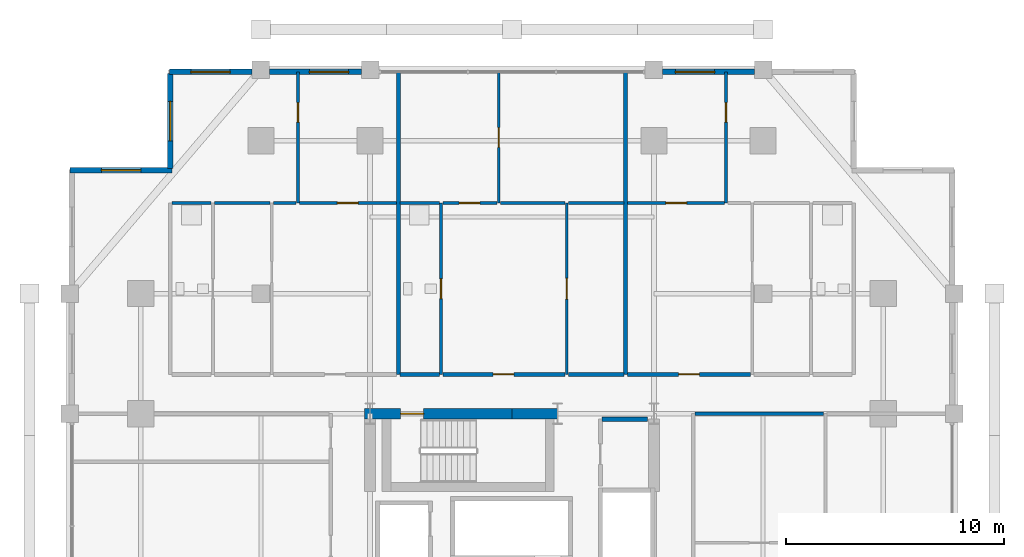
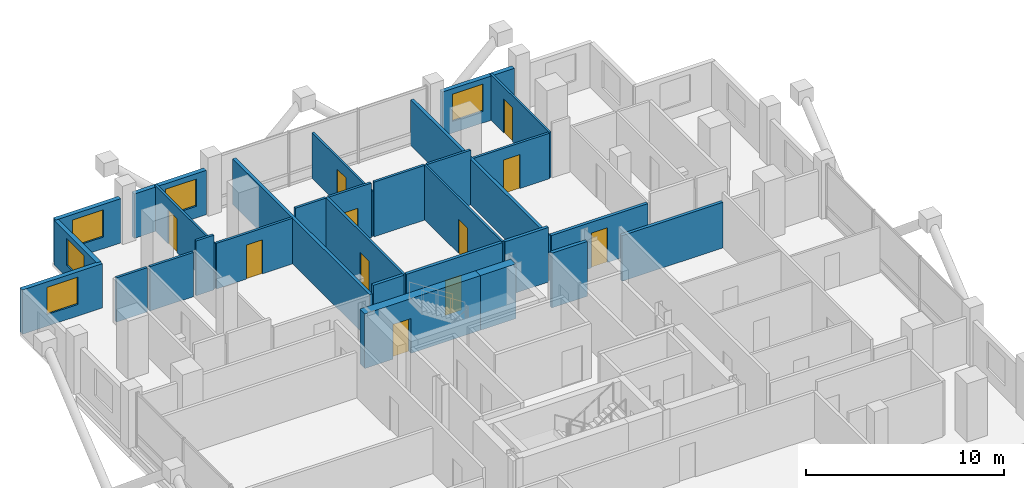
# One storey, part 19 of 22: 29 walls, 11 doors, 5 windows, 16 openings.
"""IFC4 building model written with IfcOpenShell, lengths in metres."""

import ifcopenshell
import ifcopenshell.guid

model = None  # the IFC model being written
_history = None  # IfcOwnerHistory: only IFC2X3 demands one
_inside = {}  # id of a spatial element -> (the spatial element, [elements in it])
_under = {}  # id of a project, library or spatial element -> (it, [spatial elements below it])
_declared = {}  # id of a project -> (the project, [libraries it declares])
_typed = {}  # id of a type object -> (the type object, [elements of that type])
_made_of = {}  # id of a material, layer set ... -> (it, [elements and type objects made of it])


def new_model(schema):
    """Start an empty IFC model of exactly this schema.

    Asked for "IFC4X3", IfcOpenShell would pick the latest addendum, in which some entities
    have other attributes; the version numbers below select the first issue.
    IFC2X3 requires an IfcOwnerHistory on every rooted entity: one is made here for all.
    """
    global model, _history
    if schema == "IFC4X3":
        model = ifcopenshell.file(schema_version=(4, 3, 0, 0))
    else:
        model = ifcopenshell.file(schema=schema)
    _inside.clear()
    _under.clear()
    _declared.clear()
    _typed.clear()
    _made_of.clear()
    _history = None
    if model.schema == "IFC2X3":
        org = make("IfcOrganization", Name="unknown")
        user = make(
            "IfcPersonAndOrganization",
            ThePerson=make("IfcPerson", FamilyName="unknown"),
            TheOrganization=org,
        )
        app = make(
            "IfcApplication",
            ApplicationDeveloper=org,
            Version="unknown",
            ApplicationFullName="unknown",
            ApplicationIdentifier="unknown",
        )
        _history = make(
            "IfcOwnerHistory",
            OwningUser=user,
            OwningApplication=app,
            ChangeAction="ADDED",
            CreationDate=0,
        )
    return model


def make(cls, **values):
    """One entity of the class cls with the attributes given. An attribute that is None is left unset."""
    return model.create_entity(
        cls, **{name: value for name, value in values.items() if value is not None}
    )


def rooted(cls, **values):
    """An entity with a GlobalId (a new one), such as an element, a storey or a relation."""
    return make(cls, GlobalId=ifcopenshell.guid.new(), OwnerHistory=_history, **values)


def si_unit(unit_type, name, prefix=None):
    """IfcSIUnit, for example si_unit("LENGTHUNIT", "METRE", prefix="MILLI")."""
    return make("IfcSIUnit", UnitType=unit_type, Prefix=prefix, Name=name)


def assignment(units):
    """IfcUnitAssignment: the units of a project."""
    return None if units is None else make("IfcUnitAssignment", Units=units)


def point(xyz):
    """IfcCartesianPoint."""
    return None if xyz is None else make("IfcCartesianPoint", Coordinates=xyz)


def direction(xyz):
    """IfcDirection."""
    return None if xyz is None else make("IfcDirection", DirectionRatios=xyz)


def frame(location, z_axis=None, x_axis=None):
    """IfcAxis2Placement3D, a coordinate frame: its origin and axes. An axis left out is left unset."""
    return make(
        "IfcAxis2Placement3D",
        Location=point(location),
        Axis=direction(z_axis),
        RefDirection=direction(x_axis),
    )


def frame_2d(location, x_axis=None):
    """IfcAxis2Placement2D, a coordinate frame in the plane: its origin and x axis."""
    return make(
        "IfcAxis2Placement2D", Location=point(location), RefDirection=direction(x_axis)
    )


def origin():
    """The frame at (0, 0, 0) with its axes left unset."""
    return frame((0.0, 0.0, 0.0))


def place(relative_to, where):
    """IfcLocalPlacement: puts the frame where relative to a parent placement (None: the world)."""
    return make(
        "IfcLocalPlacement", PlacementRelTo=relative_to, RelativePlacement=where
    )


def context(
    kind, dimensions, precision=None, world=None, true_north=None, identifier=None
):
    """IfcGeometricRepresentationContext, for example the 3D "Model" context."""
    return make(
        "IfcGeometricRepresentationContext",
        ContextIdentifier=identifier,
        ContextType=kind,
        CoordinateSpaceDimension=dimensions,
        Precision=precision,
        WorldCoordinateSystem=world,
        TrueNorth=true_north,
    )


def subcontext(parent, identifier, kind, view, scale=None):
    """IfcGeometricRepresentationSubContext, for example "Body" below "Model"."""
    return make(
        "IfcGeometricRepresentationSubContext",
        ContextIdentifier=identifier,
        ContextType=kind,
        ParentContext=parent,
        TargetScale=scale,
        TargetView=view,
    )


def project(units=None, contexts=None):
    """IfcProject with its units and contexts."""
    return rooted(
        "IfcProject",
        Name="project",
        RepresentationContexts=contexts,
        UnitsInContext=assignment(units),
    )


def spatial(cls, under=None, at=None, **own):
    """A site, building, storey or space (cls), placed at a placement, below another one or the project."""
    s = rooted(cls, ObjectPlacement=at, **own)
    if under is not None:
        _under.setdefault(under.id(), (under, []))[1].append(s)
    return s


def profile(cls, at=None, kind="AREA", **sizes):
    """A parametric profile (cls). Its sizes go by their IFC names, for example OverallWidth=200.0."""
    return make(cls, ProfileType=kind, Position=at, **sizes)


def rectangle(**sizes):
    """IfcRectangleProfileDef."""
    return profile("IfcRectangleProfileDef", **sizes)


def extrude(swept, where, along, depth):
    """IfcExtrudedAreaSolid: the profile swept, set in the frame where, extruded along a direction by depth."""
    return make(
        "IfcExtrudedAreaSolid",
        SweptArea=swept,
        Position=where,
        ExtrudedDirection=direction(along),
        Depth=depth,
    )


def shape(context_of_items, identifier, shape_type, items):
    """IfcShapeRepresentation: the items that make up one representation, for example the "Body"."""
    return make(
        "IfcShapeRepresentation",
        ContextOfItems=context_of_items,
        RepresentationIdentifier=identifier,
        RepresentationType=shape_type,
        Items=items,
    )


def material(Name=None, Category=None):
    """IfcMaterial."""
    return make("IfcMaterial", Name=Name, Category=Category)


def layer(
    of_material, thickness, ventilated=None, Name=None, Category=None, Priority=None
):
    """IfcMaterialLayer: one layer of a wall or slab, of a material (None: an air gap)."""
    return make(
        "IfcMaterialLayer",
        Material=of_material,
        LayerThickness=thickness,
        IsVentilated=ventilated,
        Name=Name,
        Category=Category,
        Priority=Priority,
    )


def layer_set(layers, Name=None):
    """IfcMaterialLayerSet."""
    return make("IfcMaterialLayerSet", MaterialLayers=layers, LayerSetName=Name)


def made_of(thing, what):
    """Note that an element or type object is made of a material, layer set ...; save() writes the relation."""
    if what is not None:
        _made_of.setdefault(what.id(), (what, []))[1].append(thing)
    return thing


def type_object(cls, material=None, **own):
    """A type object (cls), such as IfcWallType, which elements share."""
    return made_of(rooted(cls, **own), material)


def element(
    cls,
    number,
    at=None,
    inside=None,
    cuts=None,
    type_object=None,
    material=None,
    context=None,
    identifier="Body",
    shape_type=None,
    held_by="IfcProductDefinitionShape",
    body=None,
    shapes=None,
    **own,
):
    """One element of the class cls, such as IfcWall. Its Tag is "e" and its number.

    at: its placement. inside: the storey or other place that contains it. cuts: it is an
    opening in that element (IfcRelVoidsElement). A single representation is given by context,
    identifier, shape_type and body (its items); several are given by shapes. held_by: the class
    of the entity that holds the representations. save() writes the other relations.
    """
    e = rooted(cls, Tag="e%d" % number, ObjectPlacement=at, **own)
    if body is not None:
        shapes = [shape(context, identifier, shape_type, body)]
    if shapes is not None:
        e.Representation = make(held_by, Representations=shapes)
    if inside is not None:
        _inside.setdefault(inside.id(), (inside, []))[1].append(e)
    if cuts is not None:
        rooted(
            "IfcRelVoidsElement", RelatingBuildingElement=cuts, RelatedOpeningElement=e
        )
    if type_object is not None:
        _typed.setdefault(type_object.id(), (type_object, []))[1].append(e)
    return made_of(e, material)


def fill(opening, filler):
    """IfcRelFillsElement: the door or window that sits in an opening."""
    return rooted(
        "IfcRelFillsElement",
        RelatingOpeningElement=opening,
        RelatedBuildingElement=filler,
    )


def aggregate(whole, parts):
    """IfcRelAggregates: a whole, such as a stair, and the parts it consists of."""
    return rooted("IfcRelAggregates", RelatingObject=whole, RelatedObjects=parts)


def save(model, path):
    """Write the relations noted so far, then the file.

    IfcRelAggregates (storeys below a building ...), IfcRelContainedInSpatialStructure (elements
    in a storey), IfcRelDefinesByType, IfcRelAssociatesMaterial and IfcRelDeclares: one each for
    every whole, place, type object, material and project.
    """
    for whole, parts in _under.values():
        aggregate(whole, parts)
    for where, things in _inside.values():
        rooted(
            "IfcRelContainedInSpatialStructure",
            RelatedElements=things,
            RelatingStructure=where,
        )
    for kind, things in _typed.values():
        rooted("IfcRelDefinesByType", RelatedObjects=things, RelatingType=kind)
    for what, things in _made_of.values():
        rooted("IfcRelAssociatesMaterial", RelatedObjects=things, RelatingMaterial=what)
    for by, libraries in _declared.values():
        rooted("IfcRelDeclares", RelatingContext=by, RelatedDefinitions=libraries)
    model.write(path)


model = new_model("IFC4")

# Units and contexts
model_context = context("Model", 3, precision=1e-05, world=origin(), true_north=direction((0.0, 1.0)))
body_context = subcontext(model_context, "Body", "Model", "MODEL_VIEW")
ifc_project = project(units=[si_unit("LENGTHUNIT", "METRE"), si_unit("AREAUNIT", "SQUARE_METRE"), si_unit("VOLUMEUNIT", "CUBIC_METRE"), si_unit("PLANEANGLEUNIT", "RADIAN"), si_unit("MASSUNIT", "GRAM", prefix="KILO")], contexts=[model_context])

# Site, building, storey
site_placement = place(None, origin())
site = spatial("IfcSite", under=ifc_project, at=site_placement, CompositionType="ELEMENT")
building_placement = place(site_placement, origin())
building = spatial("IfcBuilding", under=site, at=building_placement, Name="Barlavira Tower and Art Museum", CompositionType="ELEMENT")
storey_placement = place(building_placement, frame((0.0, 0.0, 106.199951171875)))
storey = spatial("IfcBuildingStorey", under=building, at=storey_placement, Name="L26", CompositionType="ELEMENT", Elevation=106.199951171875)

# Wall, opening, door
ifc_material_1 = material(Name="Gypsum acoustic stud partition", Category="gypsum")
ifc_layer_1 = layer(ifc_material_1, 0.1201171875, Name="Gypsum acoustic stud partition")
ifc_layer_set_1 = layer_set([ifc_layer_1], Name="Gypsum acoustic stud partition")
wall_type_1 = type_object("IfcWallType", Name="Apartment Internal Acoustic Partition 120", PredefinedType="PARTITIONING", material=ifc_layer_set_1)
wall_1_placement = place(storey_placement, frame((-9.800048828125, 17.14990234375, 0.0), z_axis=(0.0, 0.0, 1.0), x_axis=(0.0, 1.0, 0.0)))
wall_1 = element("IfcWall", 1, at=wall_1_placement, inside=storey, type_object=wall_type_1, Name="L26 Partition Wall 4", PredefinedType="PARTITIONING", context=body_context, shape_type="SweptSolid", body=[
    extrude(rectangle(XDim=6.0, YDim=0.1201171875, at=frame_2d((3.0, 0.0))), origin(), (0.0, 0.0, 1.0), 2.816162109375),
])
opening_1_placement = place(wall_1_placement, frame((3.701171875, 0.0, 0.0)))
opening_1 = element("IfcOpeningElement", 2, at=opening_1_placement, cuts=wall_1, Name="Opening D-01", PredefinedType="OPENING", context=body_context, shape_type="SweptSolid", body=[
    extrude(rectangle(XDim=0.89990234375, YDim=2.10009765625, at=frame_2d((0.449951171875, 1.050048828125))), frame((0.0, 0.070068359375, 0.0), z_axis=(0.0, -1.0, 0.0), x_axis=(1.0, 0.0, 0.0)), (0.0, 0.0, 1.0), 0.14013671875),
])
ifc_material_2 = material(Name="Engineered coastal hardwood", Category="wood")
door_type_1 = type_object("IfcDoorType", Name="Internal Bedroom Timber Flush Door 900x2100", OperationType="NOTDEFINED", PredefinedType="DOOR", material=ifc_material_2)
door_1_placement = place(opening_1_placement, origin())
door_1 = element("IfcDoor", 3, at=door_1_placement, inside=storey, type_object=door_type_1, Name="Apartment N1 Bedroom 1 Door", OperationType="SINGLE_SWING_RIGHT", OverallHeight=2.10009765625, OverallWidth=0.89990234375, PredefinedType="DOOR", context=body_context, shape_type="SweptSolid", body=[
    extrude(rectangle(XDim=0.89990234375, YDim=2.10009765625, at=frame_2d((0.449951171875, 1.050048828125))), frame((0.0, 0.02490234375, 0.0), z_axis=(0.0, -1.0, 0.0), x_axis=(1.0, 0.0, 0.0)), (0.0, 0.0, 1.0), 0.050048828125),
])
fill(opening_1, door_1)

wall_2_placement = place(storey_placement, frame((-0.60009765625, 17.14990234375, 0.0), z_axis=(0.0, 0.0, 1.0), x_axis=(0.0, 1.0, 0.0)))
wall_2 = element("IfcWall", 4, at=wall_2_placement, inside=storey, type_object=wall_type_1, Name="L26 Partition Wall 9", PredefinedType="PARTITIONING", context=body_context, shape_type="SweptSolid", body=[
    extrude(rectangle(XDim=6.0, YDim=0.1201171875, at=frame_2d((3.0, 0.0))), origin(), (0.0, 0.0, 1.0), 2.816162109375),
])
opening_2_placement = place(wall_2_placement, frame((2.550048828125, 0.0, 0.0)))
opening_2 = element("IfcOpeningElement", 5, at=opening_2_placement, cuts=wall_2, Name="Opening D-01", PredefinedType="OPENING", context=body_context, shape_type="SweptSolid", body=[
    extrude(rectangle(XDim=0.89990234375, YDim=2.10009765625, at=frame_2d((0.449951171875, 1.050048828125))), frame((0.0, 0.070068359375, 0.0), z_axis=(0.0, -1.0, 0.0), x_axis=(1.0, 0.0, 0.0)), (0.0, 0.0, 1.0), 0.14013671875),
])
door_2_placement = place(opening_2_placement, origin())
door_2 = element("IfcDoor", 6, at=door_2_placement, inside=storey, type_object=door_type_1, Name="Apartment N2 Bedroom 1 Door", OperationType="SINGLE_SWING_LEFT", OverallHeight=2.10009765625, OverallWidth=0.89990234375, PredefinedType="DOOR", context=body_context, shape_type="SweptSolid", body=[
    extrude(rectangle(XDim=0.89990234375, YDim=2.10009765625, at=frame_2d((0.449951171875, 1.050048828125))), frame((0.0, 0.02490234375, 0.0), z_axis=(0.0, -1.0, 0.0), x_axis=(1.0, 0.0, 0.0)), (0.0, 0.0, 1.0), 0.050048828125),
])
fill(opening_2, door_2)

wall_3_placement = place(storey_placement, frame((2.5, 9.300048828125, 0.0), z_axis=(0.0, 0.0, 1.0), x_axis=(0.0, 1.0, 0.0)))
wall_3 = element("IfcWall", 7, at=wall_3_placement, inside=storey, type_object=wall_type_1, Name="L26 Partition Wall 10", PredefinedType="PARTITIONING", context=body_context, shape_type="SweptSolid", body=[
    extrude(rectangle(XDim=7.849853515625, YDim=0.1201171875, at=frame_2d((3.9248046875, 0.0))), origin(), (0.0, 0.0, 1.0), 3.380126953125),
])
opening_3_placement = place(wall_3_placement, frame((3.445068359375, 0.0, 0.0)))
opening_3 = element("IfcOpeningElement", 8, at=opening_3_placement, cuts=wall_3, Name="Opening D-02", PredefinedType="OPENING", context=body_context, shape_type="SweptSolid", body=[
    extrude(rectangle(XDim=0.949951171875, YDim=2.10009765625, at=frame_2d((0.47509765625, 1.050048828125))), frame((0.0, 0.070068359375, 0.0), z_axis=(0.0, -1.0, 0.0), x_axis=(1.0, 0.0, 0.0)), (0.0, 0.0, 1.0), 0.14013671875),
])
door_type_2 = type_object("IfcDoorType", Name="Living and Salon Glazed-Leaf Door 950x2100", OperationType="NOTDEFINED", PredefinedType="DOOR", material=ifc_material_2)
door_3_placement = place(opening_3_placement, origin())
door_3 = element("IfcDoor", 9, at=door_3_placement, inside=storey, type_object=door_type_2, Name="Apartment N2 Kitchen Door", OperationType="SINGLE_SWING_LEFT", OverallHeight=2.10009765625, OverallWidth=0.949951171875, PredefinedType="DOOR", context=body_context, shape_type="SweptSolid", body=[
    extrude(rectangle(XDim=0.949951171875, YDim=2.10009765625, at=frame_2d((0.47509765625, 1.050048828125))), frame((0.0, 0.02490234375, 0.0), z_axis=(0.0, -1.0, 0.0), x_axis=(1.0, 0.0, 0.0)), (0.0, 0.0, 1.0), 0.050048828125),
])
fill(opening_3, door_3)

wall_4_placement = place(storey_placement, frame((9.800048828125, 17.14990234375, 0.0), z_axis=(0.0, 0.0, 1.0), x_axis=(0.0, 1.0, 0.0)))
wall_4 = element("IfcWall", 10, at=wall_4_placement, inside=storey, type_object=wall_type_1, Name="L26 Partition Wall 14", PredefinedType="PARTITIONING", context=body_context, shape_type="SweptSolid", body=[
    extrude(rectangle(XDim=6.0, YDim=0.1201171875, at=frame_2d((3.0, 0.0))), origin(), (0.0, 0.0, 1.0), 2.816162109375),
])
opening_4_placement = place(wall_4_placement, frame((3.701171875, 0.0, 0.0)))
opening_4 = element("IfcOpeningElement", 11, at=opening_4_placement, cuts=wall_4, Name="Opening D-01", PredefinedType="OPENING", context=body_context, shape_type="SweptSolid", body=[
    extrude(rectangle(XDim=0.89990234375, YDim=2.10009765625, at=frame_2d((0.449951171875, 1.050048828125))), frame((0.0, 0.070068359375, 0.0), z_axis=(0.0, -1.0, 0.0), x_axis=(1.0, 0.0, 0.0)), (0.0, 0.0, 1.0), 0.14013671875),
])
door_4_placement = place(opening_4_placement, origin())
door_4 = element("IfcDoor", 12, at=door_4_placement, inside=storey, type_object=door_type_1, Name="Apartment N3 Bedroom 1 Door", OperationType="SINGLE_SWING_RIGHT", OverallHeight=2.10009765625, OverallWidth=0.89990234375, PredefinedType="DOOR", context=body_context, shape_type="SweptSolid", body=[
    extrude(rectangle(XDim=0.89990234375, YDim=2.10009765625, at=frame_2d((0.449951171875, 1.050048828125))), frame((0.0, 0.02490234375, 0.0), z_axis=(0.0, -1.0, 0.0), x_axis=(1.0, 0.0, 0.0)), (0.0, 0.0, 1.0), 0.050048828125),
])
fill(opening_4, door_4)

ifc_material_3 = material(Name="Concrete C60", Category="concrete")
ifc_layer_2 = layer(ifc_material_3, 0.5, Name="Concrete C60")
ifc_layer_set_2 = layer_set([ifc_layer_2], Name="Concrete C60")
wall_type_2 = type_object("IfcWallType", Name="Core Structural Shear Wall 500 Concrete C60", PredefinedType="SHEAR", material=ifc_layer_set_2)
wall_5_placement = place(storey_placement, frame((-6.75, 7.5, 0.0), z_axis=(0.0, 0.0, 1.0), x_axis=(1.0, 0.0, 0.0)))
wall_5 = element("IfcWall", 13, at=wall_5_placement, inside=storey, type_object=wall_type_2, Name="L26 Core Shear Wall CS-NW", PredefinedType="SHEAR", context=body_context, shape_type="SweptSolid", body=[
    extrude(rectangle(XDim=6.75, YDim=0.5, at=frame_2d((3.375, 0.0))), origin(), (0.0, 0.0, 1.0), 3.380126953125),
])
opening_5_placement = place(wall_5_placement, frame((1.64990234375, 0.0, 0.0)))
opening_5 = element("IfcOpeningElement", 14, at=opening_5_placement, cuts=wall_5, Name="Opening FD-90", PredefinedType="OPENING", context=body_context, shape_type="SweptSolid", body=[
    extrude(rectangle(XDim=1.050048828125, YDim=2.14990234375, at=frame_2d((0.52490234375, 1.074951171875))), frame((0.0, 0.260009765625, 0.0), z_axis=(0.0, -1.0, 0.0), x_axis=(1.0, 0.0, 0.0)), (0.0, 0.0, 1.0), 0.52001953125),
])
ifc_material_4 = material(Name="Brushed stainless steel", Category="steel")
door_type_3 = type_object("IfcDoorType", Name="Stair and Refuge Fire Door 1050x2150 FD90S", OperationType="NOTDEFINED", PredefinedType="DOOR", material=ifc_material_4)
door_5_placement = place(opening_5_placement, origin())
door_5 = element("IfcDoor", 15, at=door_5_placement, inside=storey, type_object=door_type_3, Name="L26 Stair ST-T2 Fire Door", OperationType="SINGLE_SWING_LEFT", OverallHeight=2.14990234375, OverallWidth=1.050048828125, PredefinedType="DOOR", context=body_context, shape_type="SweptSolid", body=[
    extrude(rectangle(XDim=1.050048828125, YDim=2.14990234375, at=frame_2d((0.52490234375, 1.074951171875))), frame((0.0, 0.02490234375, 0.0), z_axis=(0.0, -1.0, 0.0), x_axis=(1.0, 0.0, 0.0)), (0.0, 0.0, 1.0), 0.050048828125),
])
fill(opening_5, door_5)

# Walls
wall_6_placement = place(storey_placement, frame((0.0, 7.5, 0.0), z_axis=(0.0, 0.0, 1.0), x_axis=(1.0, 0.0, 0.0)))
element("IfcWall", 16, at=wall_6_placement, inside=storey, type_object=wall_type_2, Name="L26 Core Shear Wall CS-EN", PredefinedType="SHEAR", context=body_context, shape_type="SweptSolid", body=[
    extrude(rectangle(XDim=2.080078125, YDim=0.5, at=frame_2d((1.0400390625, 0.0))), origin(), (0.0, 0.0, 1.0), 3.380126953125),
])
ifc_material_5 = material(Name="Autoclaved aerated concrete masonry", Category="masonry")
ifc_layer_3 = layer(ifc_material_5, 0.199951171875, Name="Autoclaved aerated concrete masonry")
ifc_layer_set_3 = layer_set([ifc_layer_3], Name="Autoclaved aerated concrete masonry")
wall_type_3 = type_object("IfcWallType", Name="Fire Compartment and Shaft Wall 200", PredefinedType="SOLIDWALL", material=ifc_layer_set_3)
wall_7_placement = place(storey_placement, frame((4.1298828125, 7.25, 0.0), z_axis=(0.0, 0.0, 1.0), x_axis=(1.0, 0.0, 0.0)))
element("IfcWall", 17, at=wall_7_placement, inside=storey, type_object=wall_type_3, Name="L26 Partition Wall 34", PredefinedType="SOLIDWALL", context=body_context, shape_type="SweptSolid", body=[
    extrude(rectangle(XDim=2.070068359375, YDim=0.199951171875, at=frame_2d((1.03515625, 0.0))), origin(), (0.0, 0.0, 1.0), 3.380126953125),
])
ifc_layer_4 = layer(ifc_material_1, 0.179931640625, Name="Gypsum acoustic stud partition")
ifc_layer_set_4 = layer_set([ifc_layer_4], Name="Gypsum acoustic stud partition")
wall_type_4 = type_object("IfcWallType", Name="Inter-Tenancy Party Partition Wall 180", PredefinedType="PARTITIONING", material=ifc_layer_set_4)
for number, where, z_axis, x_axis, name in (
    (18, (-5.199951171875, 9.300048828125, 0.0), (0.0, 0.0, 1.0), (0.0, 1.0, 0.0), "L26 Partition Wall 6"),
    (19, (5.199951171875, 9.300048828125, 0.0), (0.0, 0.0, 1.0), (0.0, 1.0, 0.0), "L26 Partition Wall 12"),
):
    element("IfcWall", number, at=place(storey_placement, frame(where, z_axis=z_axis, x_axis=x_axis)), inside=storey, type_object=wall_type_4, Name=name, PredefinedType="PARTITIONING", context=body_context, shape_type="SweptSolid", body=[
        extrude(rectangle(XDim=13.849853515625, YDim=0.179931640625, at=frame_2d((6.9248046875, 0.0))), origin(), (0.0, 0.0, 1.0), 2.816162109375),
    ])
wall_8_placement = place(storey_placement, frame((8.3798828125, 7.5, 0.0), z_axis=(0.0, 0.0, 1.0), x_axis=(1.0, 0.0, 0.0)))
element("IfcWall", 20, at=wall_8_placement, inside=storey, type_object=wall_type_4, Name="L26 Partition Wall 36", PredefinedType="PARTITIONING", context=body_context, shape_type="SweptSolid", body=[
    extrude(rectangle(XDim=5.89013671875, YDim=0.179931640625, at=frame_2d((2.945068359375, 0.0))), origin(), (0.0, 0.0, 1.0), 2.816162109375),
])
wall_9_placement = place(storey_placement, frame((-5.1201171875, 9.300048828125, 0.0), z_axis=(0.0, 0.0, 1.0), x_axis=(1.0, 0.0, 0.0)))
element("IfcWall", 21, at=wall_9_placement, inside=storey, type_object=wall_type_4, Name="L26 Partition Wall 41", PredefinedType="PARTITIONING", context=body_context, shape_type="SweptSolid", body=[
    extrude(rectangle(XDim=1.7900390625, YDim=0.179931640625, at=frame_2d((0.89501953125, 0.0))), origin(), (0.0, 0.0, 1.0), 3.380126953125),
])

# Wall, opening, door
wall_10_placement = place(storey_placement, frame((-3.169921875, 9.300048828125, 0.0), z_axis=(0.0, 0.0, 1.0), x_axis=(1.0, 0.0, 0.0)))
wall_10 = element("IfcWall", 22, at=wall_10_placement, inside=storey, type_object=wall_type_4, Name="L26 Partition Wall 42", PredefinedType="PARTITIONING", context=body_context, shape_type="SweptSolid", body=[
    extrude(rectangle(XDim=5.58984375, YDim=0.179931640625, at=frame_2d((2.794921875, 0.0))), origin(), (0.0, 0.0, 1.0), 3.380126953125),
])
opening_6_placement = place(wall_10_placement, frame((2.304931640625, 0.0, 0.0)))
opening_6 = element("IfcOpeningElement", 23, at=opening_6_placement, cuts=wall_10, Name="Opening FD-60", PredefinedType="OPENING", context=body_context, shape_type="SweptSolid", body=[
    extrude(rectangle(XDim=0.949951171875, YDim=2.14990234375, at=frame_2d((0.47509765625, 1.074951171875))), frame((0.0, 0.10009765625, 0.0), z_axis=(0.0, -1.0, 0.0), x_axis=(1.0, 0.0, 0.0)), (0.0, 0.0, 1.0), 0.199951171875),
])
door_type_4 = type_object("IfcDoorType", Name="Apartment Entrance and Riser Fire Door 950x2150 FD60S", OperationType="NOTDEFINED", PredefinedType="DOOR", material=ifc_material_4)
door_6_placement = place(opening_6_placement, origin())
door_6 = element("IfcDoor", 24, at=door_6_placement, inside=storey, type_object=door_type_4, Name="Apartment Entrance Hall N2 Door", OperationType="SINGLE_SWING_RIGHT", OverallHeight=2.14990234375, OverallWidth=0.949951171875, PredefinedType="DOOR", context=body_context, shape_type="SweptSolid", body=[
    extrude(rectangle(XDim=0.949951171875, YDim=2.14990234375, at=frame_2d((0.47509765625, 1.074951171875))), frame((0.0, 0.02490234375, 0.0), z_axis=(0.0, -1.0, 0.0), x_axis=(1.0, 0.0, 0.0)), (0.0, 0.0, 1.0), 0.050048828125),
])
fill(opening_6, door_6)

# Wall
wall_11_placement = place(storey_placement, frame((2.580078125, 9.300048828125, 0.0), z_axis=(0.0, 0.0, 1.0), x_axis=(1.0, 0.0, 0.0)))
element("IfcWall", 25, at=wall_11_placement, inside=storey, type_object=wall_type_4, Name="L26 Partition Wall 43", PredefinedType="PARTITIONING", context=body_context, shape_type="SweptSolid", body=[
    extrude(rectangle(XDim=2.5400390625, YDim=0.179931640625, at=frame_2d((1.27001953125, 0.0))), origin(), (0.0, 0.0, 1.0), 3.380126953125),
])

# Wall, opening, door
wall_12_placement = place(storey_placement, frame((5.280029296875, 9.300048828125, 0.0), z_axis=(0.0, 0.0, 1.0), x_axis=(1.0, 0.0, 0.0)))
wall_12 = element("IfcWall", 26, at=wall_12_placement, inside=storey, type_object=wall_type_4, Name="L26 Partition Wall 44", PredefinedType="PARTITIONING", context=body_context, shape_type="SweptSolid", body=[
    extrude(rectangle(XDim=5.639892578125, YDim=0.179931640625, at=frame_2d((2.81982421875, 0.0))), origin(), (0.0, 0.0, 1.0), 2.816162109375),
])
opening_7_placement = place(wall_12_placement, frame((2.344970703125, 0.0, 0.0)))
opening_7 = element("IfcOpeningElement", 27, at=opening_7_placement, cuts=wall_12, Name="Opening FD-60", PredefinedType="OPENING", context=body_context, shape_type="SweptSolid", body=[
    extrude(rectangle(XDim=0.949951171875, YDim=2.14990234375, at=frame_2d((0.47509765625, 1.074951171875))), frame((0.0, 0.10009765625, 0.0), z_axis=(0.0, -1.0, 0.0), x_axis=(1.0, 0.0, 0.0)), (0.0, 0.0, 1.0), 0.199951171875),
])
door_7_placement = place(opening_7_placement, origin())
door_7 = element("IfcDoor", 28, at=door_7_placement, inside=storey, type_object=door_type_4, Name="Apartment Entrance Hall N3 Door", OperationType="SINGLE_SWING_RIGHT", OverallHeight=2.14990234375, OverallWidth=0.949951171875, PredefinedType="DOOR", context=body_context, shape_type="SweptSolid", body=[
    extrude(rectangle(XDim=0.949951171875, YDim=2.14990234375, at=frame_2d((0.47509765625, 1.074951171875))), frame((0.0, 0.02490234375, 0.0), z_axis=(0.0, -1.0, 0.0), x_axis=(1.0, 0.0, 0.0)), (0.0, 0.0, 1.0), 0.050048828125),
])
fill(opening_7, door_7)

ifc_layer_5 = layer(ifc_material_1, 0.139892578125, Name="Gypsum acoustic stud partition")
ifc_layer_set_5 = layer_set([ifc_layer_5], Name="Gypsum acoustic stud partition")
wall_type_5 = type_object("IfcWallType", Name="Moisture-Resistant Bathroom Partition 140", PredefinedType="PARTITIONING", material=ifc_layer_set_5)
wall_13_placement = place(storey_placement, frame((-3.25, 9.300048828125, 0.0), z_axis=(0.0, 0.0, 1.0), x_axis=(0.0, 1.0, 0.0)))
wall_13 = element("IfcWall", 29, at=wall_13_placement, inside=storey, type_object=wall_type_5, Name="L26 Partition Wall 8", PredefinedType="PARTITIONING", context=body_context, shape_type="SweptSolid", body=[
    extrude(rectangle(XDim=7.849853515625, YDim=0.139892578125, at=frame_2d((3.9248046875, 0.0))), origin(), (0.0, 0.0, 1.0), 3.380126953125),
])
opening_8_placement = place(wall_13_placement, frame((3.469970703125, 0.0, 0.0)))
opening_8 = element("IfcOpeningElement", 30, at=opening_8_placement, cuts=wall_13, Name="Opening D-WC", PredefinedType="OPENING", context=body_context, shape_type="SweptSolid", body=[
    extrude(rectangle(XDim=0.89990234375, YDim=2.10009765625, at=frame_2d((0.449951171875, 1.050048828125))), frame((0.0, 0.080078125, 0.0), z_axis=(0.0, -1.0, 0.0), x_axis=(1.0, 0.0, 0.0)), (0.0, 0.0, 1.0), 0.159912109375),
])
door_type_5 = type_object("IfcDoorType", Name="Accessible Bathroom Flush Door 900x2100", OperationType="NOTDEFINED", PredefinedType="DOOR", material=ifc_material_2)
door_8_placement = place(opening_8_placement, origin())
door_8 = element("IfcDoor", 31, at=door_8_placement, inside=storey, type_object=door_type_5, Name="Apartment N2 Hall Bathroom Door", OperationType="SINGLE_SWING_LEFT", OverallHeight=2.10009765625, OverallWidth=0.89990234375, PredefinedType="DOOR", context=body_context, shape_type="SweptSolid", body=[
    extrude(rectangle(XDim=0.89990234375, YDim=2.10009765625, at=frame_2d((0.449951171875, 1.050048828125))), frame((0.0, 0.02490234375, 0.0), z_axis=(0.0, -1.0, 0.0), x_axis=(1.0, 0.0, 0.0)), (0.0, 0.0, 1.0), 0.050048828125),
])
fill(opening_8, door_8)

# Walls
wall_14_placement = place(storey_placement, frame((-15.570068359375, 17.14990234375, 0.0), z_axis=(0.0, 0.0, 1.0), x_axis=(1.0, 0.0, 0.0)))
element("IfcWall", 32, at=wall_14_placement, inside=storey, type_object=wall_type_5, Name="L26 Partition Wall 47", PredefinedType="PARTITIONING", context=body_context, shape_type="SweptSolid", body=[
    extrude(rectangle(XDim=1.7900390625, YDim=0.139892578125, at=frame_2d((0.89501953125, 0.0))), origin(), (0.0, 0.0, 1.0), 2.736083984375),
])
wall_15_placement = place(storey_placement, frame((-13.6201171875, 17.14990234375, 0.0), z_axis=(0.0, 0.0, 1.0), x_axis=(1.0, 0.0, 0.0)))
element("IfcWall", 33, at=wall_15_placement, inside=storey, type_object=wall_type_5, Name="L26 Partition Wall 48", PredefinedType="PARTITIONING", context=body_context, shape_type="SweptSolid", body=[
    extrude(rectangle(XDim=2.5400390625, YDim=0.139892578125, at=frame_2d((1.27001953125, 0.0))), origin(), (0.0, 0.0, 1.0), 2.736083984375),
])
wall_16_placement = place(storey_placement, frame((-10.919921875, 17.14990234375, 0.0), z_axis=(0.0, 0.0, 1.0), x_axis=(1.0, 0.0, 0.0)))
element("IfcWall", 34, at=wall_16_placement, inside=storey, type_object=wall_type_5, Name="L26 Partition Wall 49", PredefinedType="PARTITIONING", context=body_context, shape_type="SweptSolid", body=[
    extrude(rectangle(XDim=1.0400390625, YDim=0.139892578125, at=frame_2d((0.52001953125, 0.0))), origin(), (0.0, 0.0, 1.0), 3.380126953125),
])

# Wall, opening, door
wall_17_placement = place(storey_placement, frame((-9.719970703125, 17.14990234375, 0.0), z_axis=(0.0, 0.0, 1.0), x_axis=(1.0, 0.0, 0.0)))
wall_17 = element("IfcWall", 35, at=wall_17_placement, inside=storey, type_object=wall_type_5, Name="L26 Partition Wall 50", PredefinedType="PARTITIONING", context=body_context, shape_type="SweptSolid", body=[
    extrude(rectangle(XDim=4.43994140625, YDim=0.139892578125, at=frame_2d((2.219970703125, 0.0))), origin(), (0.0, 0.0, 1.0), 2.816162109375),
])
opening_9_placement = place(wall_17_placement, frame((1.72509765625, 0.0, 0.0)))
opening_9 = element("IfcOpeningElement", 36, at=opening_9_placement, cuts=wall_17, Name="Opening D-02", PredefinedType="OPENING", context=body_context, shape_type="SweptSolid", body=[
    extrude(rectangle(XDim=0.949951171875, YDim=2.10009765625, at=frame_2d((0.47509765625, 1.050048828125))), frame((0.0, 0.080078125, 0.0), z_axis=(0.0, -1.0, 0.0), x_axis=(1.0, 0.0, 0.0)), (0.0, 0.0, 1.0), 0.159912109375),
])
door_9_placement = place(opening_9_placement, origin())
door_9 = element("IfcDoor", 37, at=door_9_placement, inside=storey, type_object=door_type_2, Name="Apartment N1 Living Lounge Door", OperationType="SINGLE_SWING_LEFT", OverallHeight=2.10009765625, OverallWidth=0.949951171875, PredefinedType="DOOR", context=body_context, shape_type="SweptSolid", body=[
    extrude(rectangle(XDim=0.949951171875, YDim=2.10009765625, at=frame_2d((0.47509765625, 1.050048828125))), frame((0.0, 0.02490234375, 0.0), z_axis=(0.0, -1.0, 0.0), x_axis=(1.0, 0.0, 0.0)), (0.0, 0.0, 1.0), 0.050048828125),
])
fill(opening_9, door_9)

# Wall
wall_18_placement = place(storey_placement, frame((-5.1201171875, 17.14990234375, 0.0), z_axis=(0.0, 0.0, 1.0), x_axis=(1.0, 0.0, 0.0)))
element("IfcWall", 38, at=wall_18_placement, inside=storey, type_object=wall_type_5, Name="L26 Partition Wall 51", PredefinedType="PARTITIONING", context=body_context, shape_type="SweptSolid", body=[
    extrude(rectangle(XDim=1.7900390625, YDim=0.139892578125, at=frame_2d((0.89501953125, 0.0))), origin(), (0.0, 0.0, 1.0), 3.380126953125),
])

# Wall, opening, door
wall_19_placement = place(storey_placement, frame((-3.169921875, 17.14990234375, 0.0), z_axis=(0.0, 0.0, 1.0), x_axis=(1.0, 0.0, 0.0)))
wall_19 = element("IfcWall", 39, at=wall_19_placement, inside=storey, type_object=wall_type_5, Name="L26 Partition Wall 52", PredefinedType="PARTITIONING", context=body_context, shape_type="SweptSolid", body=[
    extrude(rectangle(XDim=2.489990234375, YDim=0.139892578125, at=frame_2d((1.2451171875, 0.0))), origin(), (0.0, 0.0, 1.0), 3.380126953125),
])
opening_10_placement = place(wall_19_placement, frame((0.7451171875, 0.0, 0.0)))
opening_10 = element("IfcOpeningElement", 40, at=opening_10_placement, cuts=wall_19, Name="Opening D-02", PredefinedType="OPENING", context=body_context, shape_type="SweptSolid", body=[
    extrude(rectangle(XDim=0.949951171875, YDim=2.10009765625, at=frame_2d((0.47509765625, 1.050048828125))), frame((0.0, 0.080078125, 0.0), z_axis=(0.0, -1.0, 0.0), x_axis=(1.0, 0.0, 0.0)), (0.0, 0.0, 1.0), 0.159912109375),
])
door_10_placement = place(opening_10_placement, origin())
door_10 = element("IfcDoor", 41, at=door_10_placement, inside=storey, type_object=door_type_2, Name="Apartment N2 Living Lounge Door", OperationType="SINGLE_SWING_RIGHT", OverallHeight=2.10009765625, OverallWidth=0.949951171875, PredefinedType="DOOR", context=body_context, shape_type="SweptSolid", body=[
    extrude(rectangle(XDim=0.949951171875, YDim=2.10009765625, at=frame_2d((0.47509765625, 1.050048828125))), frame((0.0, 0.02490234375, 0.0), z_axis=(0.0, -1.0, 0.0), x_axis=(1.0, 0.0, 0.0)), (0.0, 0.0, 1.0), 0.050048828125),
])
fill(opening_10, door_10)

# Walls
wall_20_placement = place(storey_placement, frame((-0.52001953125, 17.14990234375, 0.0), z_axis=(0.0, 0.0, 1.0), x_axis=(1.0, 0.0, 0.0)))
element("IfcWall", 42, at=wall_20_placement, inside=storey, type_object=wall_type_5, Name="L26 Partition Wall 53", PredefinedType="PARTITIONING", context=body_context, shape_type="SweptSolid", body=[
    extrude(rectangle(XDim=2.93994140625, YDim=0.139892578125, at=frame_2d((1.469970703125, 0.0))), origin(), (0.0, 0.0, 1.0), 3.380126953125),
])
wall_21_placement = place(storey_placement, frame((2.580078125, 17.14990234375, 0.0), z_axis=(0.0, 0.0, 1.0), x_axis=(1.0, 0.0, 0.0)))
element("IfcWall", 43, at=wall_21_placement, inside=storey, type_object=wall_type_5, Name="L26 Partition Wall 54", PredefinedType="PARTITIONING", context=body_context, shape_type="SweptSolid", body=[
    extrude(rectangle(XDim=2.5400390625, YDim=0.139892578125, at=frame_2d((1.27001953125, 0.0))), origin(), (0.0, 0.0, 1.0), 3.380126953125),
])

# Wall, opening, door
wall_22_placement = place(storey_placement, frame((5.280029296875, 17.14990234375, 0.0), z_axis=(0.0, 0.0, 1.0), x_axis=(1.0, 0.0, 0.0)))
wall_22 = element("IfcWall", 44, at=wall_22_placement, inside=storey, type_object=wall_type_5, Name="L26 Partition Wall 55", PredefinedType="PARTITIONING", context=body_context, shape_type="SweptSolid", body=[
    extrude(rectangle(XDim=4.43994140625, YDim=0.139892578125, at=frame_2d((2.219970703125, 0.0))), origin(), (0.0, 0.0, 1.0), 2.816162109375),
])
opening_11_placement = place(wall_22_placement, frame((1.764892578125, 0.0, 0.0)))
opening_11 = element("IfcOpeningElement", 45, at=opening_11_placement, cuts=wall_22, Name="Opening D-02", PredefinedType="OPENING", context=body_context, shape_type="SweptSolid", body=[
    extrude(rectangle(XDim=0.949951171875, YDim=2.10009765625, at=frame_2d((0.47509765625, 1.050048828125))), frame((0.0, 0.080078125, 0.0), z_axis=(0.0, -1.0, 0.0), x_axis=(1.0, 0.0, 0.0)), (0.0, 0.0, 1.0), 0.159912109375),
])
door_11_placement = place(opening_11_placement, origin())
door_11 = element("IfcDoor", 46, at=door_11_placement, inside=storey, type_object=door_type_2, Name="Apartment N3 Living Lounge Door", OperationType="SINGLE_SWING_LEFT", OverallHeight=2.10009765625, OverallWidth=0.949951171875, PredefinedType="DOOR", context=body_context, shape_type="SweptSolid", body=[
    extrude(rectangle(XDim=0.949951171875, YDim=2.10009765625, at=frame_2d((0.47509765625, 1.050048828125))), frame((0.0, 0.02490234375, 0.0), z_axis=(0.0, -1.0, 0.0), x_axis=(1.0, 0.0, 0.0)), (0.0, 0.0, 1.0), 0.050048828125),
])
fill(opening_11, door_11)

# Wall, opening, window
ifc_material_6 = material(Name="Precast concrete C40", Category="concrete")
ifc_layer_6 = layer(ifc_material_6, 0.25, Name="Precast concrete C40")
ifc_layer_set_6 = layer_set([ifc_layer_6], Name="Precast concrete C40")
wall_type_6 = type_object("IfcWallType", Name="Notched Corner Spandrel Wall 250 Precast Concrete C40", PredefinedType="SOLIDWALL", material=ifc_layer_set_6)
wall_23_placement = place(storey_placement, frame((11.10498046875, 23.14990234375, 0.0), z_axis=(0.0, 0.0, 1.0), x_axis=(-1.0, 0.0, 0.0)))
wall_23 = element("IfcWall", 47, at=wall_23_placement, inside=storey, type_object=wall_type_6, Name="L26 Coastal Facade Pier Wall CW2-L26-N-2", PredefinedType="SOLIDWALL", context=body_context, shape_type="SweptSolid", body=[
    extrude(rectangle(XDim=4.2099609375, YDim=0.25, at=frame_2d((2.10498046875, 0.0))), origin(), (0.0, 0.0, 1.0), 2.736083984375),
])
opening_12_placement = place(wall_23_placement, frame((1.824951171875, 0.0, 0.719970703125)))
opening_12 = element("IfcOpeningElement", 48, at=opening_12_placement, cuts=wall_23, Name="Opening WN-01", PredefinedType="OPENING", context=body_context, shape_type="SweptSolid", body=[
    extrude(rectangle(XDim=1.800048828125, YDim=1.679931640625, at=frame_2d((0.89990234375, 0.83984375))), frame((0.0, 0.135009765625, 0.0), z_axis=(0.0, -1.0, 0.0), x_axis=(1.0, 0.0, 0.0)), (0.0, 0.0, 1.0), 0.27001953125),
])
ifc_material_7 = material(Name="Low-iron coastal laminated glass", Category="glass")
window_type = type_object("IfcWindowType", Name="Recessed Notch Corner Punch Window 1800x1680", PartitioningType="SINGLE_PANEL", PredefinedType="WINDOW", material=ifc_material_7)
window_1_placement = place(opening_12_placement, origin())
window_1 = element("IfcWindow", 49, at=window_1_placement, inside=storey, type_object=window_type, Name="L26 Punched Facade Window EWP-CW2-L26-N-2-1", OverallHeight=1.679931640625, OverallWidth=1.800048828125, PartitioningType="SINGLE_PANEL", PredefinedType="WINDOW", context=body_context, shape_type="SweptSolid", body=[
    extrude(rectangle(XDim=1.800048828125, YDim=1.679931640625, at=frame_2d((0.89990234375, 0.83984375))), frame((0.0, 0.030029296875, 0.0), z_axis=(0.0, -1.0, 0.0), x_axis=(1.0, 0.0, 0.0)), (0.0, 0.0, 1.0), 0.06005859375),
])
fill(opening_12, window_1)

wall_24_placement = place(storey_placement, frame((-6.89501953125, 23.14990234375, 0.0), z_axis=(0.0, 0.0, 1.0), x_axis=(-1.0, 0.0, 0.0)))
wall_24 = element("IfcWall", 50, at=wall_24_placement, inside=storey, type_object=wall_type_6, Name="L26 Coastal Facade Pier Wall CW2-L26-N-4", PredefinedType="SOLIDWALL", context=body_context, shape_type="SweptSolid", body=[
    extrude(rectangle(XDim=4.2099609375, YDim=0.25, at=frame_2d((2.10498046875, 0.0))), origin(), (0.0, 0.0, 1.0), 2.736083984375),
])
opening_13_placement = place(wall_24_placement, frame((0.5849609375, 0.0, 0.719970703125)))
opening_13 = element("IfcOpeningElement", 51, at=opening_13_placement, cuts=wall_24, Name="Opening WN-01", PredefinedType="OPENING", context=body_context, shape_type="SweptSolid", body=[
    extrude(rectangle(XDim=1.800048828125, YDim=1.679931640625, at=frame_2d((0.89990234375, 0.83984375))), frame((0.0, 0.135009765625, 0.0), z_axis=(0.0, -1.0, 0.0), x_axis=(1.0, 0.0, 0.0)), (0.0, 0.0, 1.0), 0.27001953125),
])
window_2_placement = place(opening_13_placement, origin())
window_2 = element("IfcWindow", 52, at=window_2_placement, inside=storey, type_object=window_type, Name="L26 Punched Facade Window EWP-CW2-L26-N-4-1", OverallHeight=1.679931640625, OverallWidth=1.800048828125, PartitioningType="SINGLE_PANEL", PredefinedType="WINDOW", context=body_context, shape_type="SweptSolid", body=[
    extrude(rectangle(XDim=1.800048828125, YDim=1.679931640625, at=frame_2d((0.89990234375, 0.83984375))), frame((0.0, 0.030029296875, 0.0), z_axis=(0.0, -1.0, 0.0), x_axis=(1.0, 0.0, 0.0)), (0.0, 0.0, 1.0), 0.06005859375),
])
fill(opening_13, window_2)

wall_25_placement = place(storey_placement, frame((-11.89501953125, 23.14990234375, 0.0), z_axis=(0.0, 0.0, 1.0), x_axis=(-1.0, 0.0, 0.0)))
wall_25 = element("IfcWall", 53, at=wall_25_placement, inside=storey, type_object=wall_type_6, Name="L26 Coastal Facade Pier Wall CW2-L26-N-5", PredefinedType="SOLIDWALL", context=body_context, shape_type="SweptSolid", body=[
    extrude(rectangle(XDim=3.780029296875, YDim=0.25, at=frame_2d((1.89013671875, 0.0))), origin(), (0.0, 0.0, 1.0), 2.736083984375),
])
opening_14_placement = place(wall_25_placement, frame((1.012939453125, 0.0, 0.719970703125)))
opening_14 = element("IfcOpeningElement", 54, at=opening_14_placement, cuts=wall_25, Name="Opening WN-01", PredefinedType="OPENING", context=body_context, shape_type="SweptSolid", body=[
    extrude(rectangle(XDim=1.800048828125, YDim=1.679931640625, at=frame_2d((0.89990234375, 0.83984375))), frame((0.0, 0.135009765625, 0.0), z_axis=(0.0, -1.0, 0.0), x_axis=(1.0, 0.0, 0.0)), (0.0, 0.0, 1.0), 0.27001953125),
])
window_3_placement = place(opening_14_placement, origin())
window_3 = element("IfcWindow", 55, at=window_3_placement, inside=storey, type_object=window_type, Name="L26 Punched Facade Window EWP-CW2-L26-N-5-1", OverallHeight=1.679931640625, OverallWidth=1.800048828125, PartitioningType="SINGLE_PANEL", PredefinedType="WINDOW", context=body_context, shape_type="SweptSolid", body=[
    extrude(rectangle(XDim=1.800048828125, YDim=1.679931640625, at=frame_2d((0.89990234375, 0.83984375))), frame((0.0, 0.030029296875, 0.0), z_axis=(0.0, -1.0, 0.0), x_axis=(1.0, 0.0, 0.0)), (0.0, 0.0, 1.0), 0.06005859375),
])
fill(opening_14, window_3)

wall_26_placement = place(storey_placement, frame((-15.64990234375, 23.070068359375, 0.0), z_axis=(0.0, 0.0, 1.0), x_axis=(0.0, -1.0, 0.0)))
wall_26 = element("IfcWall", 56, at=wall_26_placement, inside=storey, type_object=wall_type_6, Name="L26 Notch Corner Wall NW1", PredefinedType="SOLIDWALL", context=body_context, shape_type="SweptSolid", body=[
    extrude(rectangle(XDim=4.340087890625, YDim=0.25, at=frame_2d((2.169921875, 0.0))), origin(), (0.0, 0.0, 1.0), 2.736083984375),
])
opening_15_placement = place(wall_26_placement, frame((1.27001953125, 0.0, 0.719970703125)))
opening_15 = element("IfcOpeningElement", 57, at=opening_15_placement, cuts=wall_26, Name="Opening WN-01", PredefinedType="OPENING", context=body_context, shape_type="SweptSolid", body=[
    extrude(rectangle(XDim=1.800048828125, YDim=1.679931640625, at=frame_2d((0.89990234375, 0.83984375))), frame((0.0, 0.135009765625, 0.0), z_axis=(0.0, -1.0, 0.0), x_axis=(1.0, 0.0, 0.0)), (0.0, 0.0, 1.0), 0.27001953125),
])
window_4_placement = place(opening_15_placement, origin())
window_4 = element("IfcWindow", 58, at=window_4_placement, inside=storey, type_object=window_type, Name="L26 Punched Facade Window EW-NTC-L26-NW1-1", OverallHeight=1.679931640625, OverallWidth=1.800048828125, PartitioningType="SINGLE_PANEL", PredefinedType="WINDOW", context=body_context, shape_type="SweptSolid", body=[
    extrude(rectangle(XDim=1.800048828125, YDim=1.679931640625, at=frame_2d((0.89990234375, 0.83984375))), frame((0.0, 0.030029296875, 0.0), z_axis=(0.0, -1.0, 0.0), x_axis=(1.0, 0.0, 0.0)), (0.0, 0.0, 1.0), 0.06005859375),
])
fill(opening_15, window_4)

wall_27_placement = place(storey_placement, frame((-15.570068359375, 18.64990234375, 0.0), z_axis=(0.0, 0.0, 1.0), x_axis=(-1.0, 0.0, 0.0)))
wall_27 = element("IfcWall", 59, at=wall_27_placement, inside=storey, type_object=wall_type_6, Name="L26 Notch Corner Wall NW2", PredefinedType="SOLIDWALL", context=body_context, shape_type="SweptSolid", body=[
    extrude(rectangle(XDim=4.659912109375, YDim=0.25, at=frame_2d((2.330078125, 0.0))), origin(), (0.0, 0.0, 1.0), 2.736083984375),
])
opening_16_placement = place(wall_27_placement, frame((1.429931640625, 0.0, 0.719970703125)))
opening_16 = element("IfcOpeningElement", 60, at=opening_16_placement, cuts=wall_27, Name="Opening WN-01", PredefinedType="OPENING", context=body_context, shape_type="SweptSolid", body=[
    extrude(rectangle(XDim=1.800048828125, YDim=1.679931640625, at=frame_2d((0.89990234375, 0.83984375))), frame((0.0, 0.135009765625, 0.0), z_axis=(0.0, -1.0, 0.0), x_axis=(1.0, 0.0, 0.0)), (0.0, 0.0, 1.0), 0.27001953125),
])
window_5_placement = place(opening_16_placement, origin())
window_5 = element("IfcWindow", 61, at=window_5_placement, inside=storey, type_object=window_type, Name="L26 Punched Facade Window EW-NTC-L26-NW2-1", OverallHeight=1.679931640625, OverallWidth=1.800048828125, PartitioningType="SINGLE_PANEL", PredefinedType="WINDOW", context=body_context, shape_type="SweptSolid", body=[
    extrude(rectangle(XDim=1.800048828125, YDim=1.679931640625, at=frame_2d((0.89990234375, 0.83984375))), frame((0.0, 0.030029296875, 0.0), z_axis=(0.0, -1.0, 0.0), x_axis=(1.0, 0.0, 0.0)), (0.0, 0.0, 1.0), 0.06005859375),
])
fill(opening_16, window_5)

save(model, "model.ifc")
